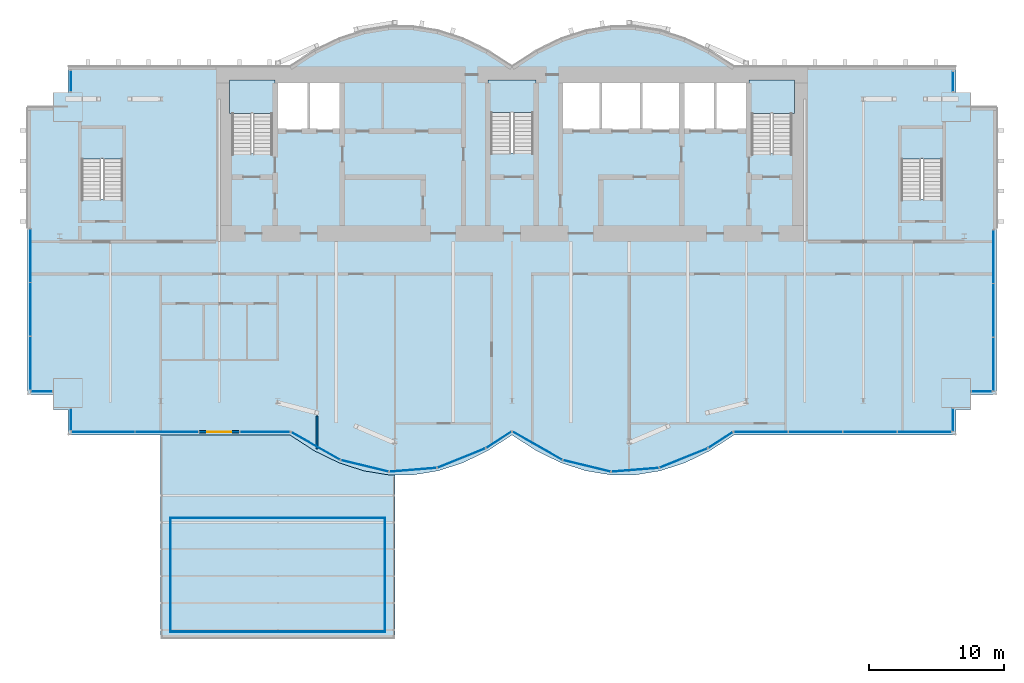
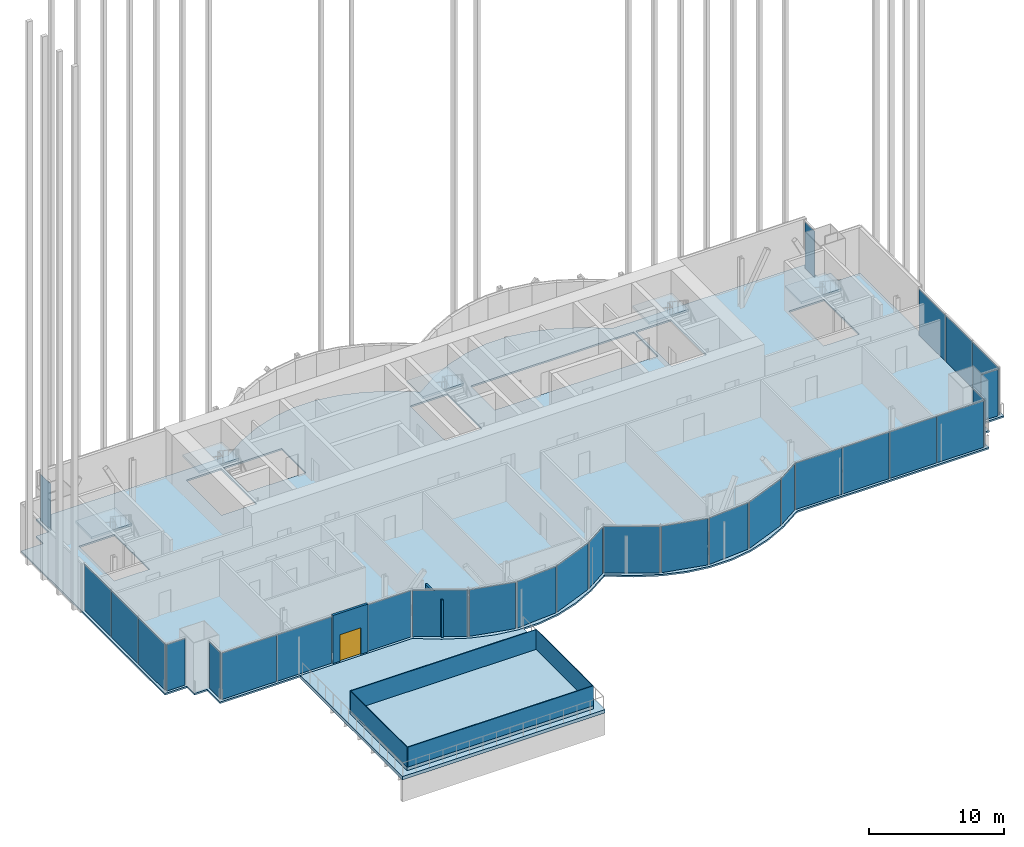
# One storey, part 15 of 22: 29 plates, 8 slabs, 6 walls, 1 door, 1 opening, 18 elements without a shape of their own.
"""IFC4 building model written with IfcOpenShell, lengths in metres."""

from ifc_helpers import new_model, si_unit, direction, frame, frame_2d, origin, origin_2d, place, context, subcontext, project, spatial, polyline, rectangle, outline, extrude, material, layer, layer_set, layer_usage, type_object, element, fill, aggregate, save


model = new_model("IFC4")

# Units and contexts
model_context = context("Model", 3, precision=1e-05, world=origin(), true_north=direction((0.0, 1.0)))
body_context = subcontext(model_context, "Body", "Model", "MODEL_VIEW")
ifc_project = project(units=[si_unit("LENGTHUNIT", "METRE"), si_unit("AREAUNIT", "SQUARE_METRE"), si_unit("VOLUMEUNIT", "CUBIC_METRE"), si_unit("PLANEANGLEUNIT", "RADIAN"), si_unit("MASSUNIT", "GRAM", prefix="KILO")], contexts=[model_context])

# Site, building, storey
site_placement = place(None, origin())
site = spatial("IfcSite", under=ifc_project, at=site_placement, CompositionType="ELEMENT")
building_placement = place(site_placement, origin())
building = spatial("IfcBuilding", under=site, at=building_placement, Name="Bicima Exchange Tower", CompositionType="ELEMENT")
storey_placement = place(building_placement, frame((0.0, 0.0, 293.0)))
storey = spatial("IfcBuildingStorey", under=building, at=storey_placement, Name="L66", CompositionType="ELEMENT", Elevation=293.0)

# Slab
ifc_material_1 = material(Name="Concrete C40/50", Category="concrete")
ifc_layer_1 = layer(ifc_material_1, 0.14990234375)
ifc_layer_set_1 = layer_set([ifc_layer_1], Name="Concrete C40/50")
slab_type_1 = type_object("IfcSlabType", Name="Composite floor slab 150", PredefinedType="FLOOR", material=ifc_layer_set_1)
slab_1_placement = place(storey_placement, frame((0.0, 0.0, -0.14990234375)))
element("IfcSlab", 1, at=slab_1_placement, inside=storey, type_object=slab_type_1, Name="Floor slab", PredefinedType="FLOOR", context=body_context, shape_type="SweptSolid", body=[
    extrude(outline(polyline([(-36.0, -24.360107421875), (-36.0, -3.0), (-34.10009765625, -3.0), (-34.10009765625, -1.89990234375), (-33.0, -1.89990234375), (-33.0, 0.0), (-16.5, 0.0), (-14.666748046875, 1.185302734375), (-12.833251953125, 2.07421875), (-11.0, 2.666748046875), (-9.166748046875, 2.962890625), (-7.333251953125, 2.962890625), (-5.5, 2.666748046875), (-3.666748046875, 2.07421875), (-1.833251953125, 1.185302734375), (0.0, 0.0), (1.833251953125, 1.185302734375), (3.666748046875, 2.07421875), (5.5, 2.666748046875), (7.333251953125, 2.962890625), (9.166748046875, 2.962890625), (11.0, 2.666748046875), (12.833251953125, 2.07421875), (14.666748046875, 1.185302734375), (16.5, 0.0), (33.0, 0.0), (33.0, -1.89990234375), (34.10009765625, -1.89990234375), (34.10009765625, -3.0), (36.0, -3.0), (36.0, -24.360107421875), (34.10009765625, -24.360107421875), (34.10009765625, -25.4599609375), (33.0, -25.4599609375), (33.0, -27.360107421875), (16.5, -27.360107421875), (14.666748046875, -28.545166015625), (12.833251953125, -29.43408203125), (11.0, -30.026611328125), (9.166748046875, -30.322998046875), (7.333251953125, -30.322998046875), (5.5, -30.026611328125), (3.666748046875, -29.43408203125), (1.833251953125, -28.545166015625), (0.0, -27.360107421875), (-1.833251953125, -28.545166015625), (-3.666748046875, -29.43408203125), (-5.5, -30.026611328125), (-7.333251953125, -30.322998046875), (-9.166748046875, -30.322998046875), (-11.0, -30.026611328125), (-12.833251953125, -29.43408203125), (-14.666748046875, -28.545166015625), (-16.5, -27.360107421875), (-33.0, -27.360107421875), (-33.0, -25.4599609375), (-34.10009765625, -25.4599609375), (-34.10009765625, -24.360107421875), (-36.0, -24.360107421875)]), holes=[polyline([(-28.925048828125, -9.824951171875), (-28.925048828125, -4.625), (-31.97509765625, -4.625), (-31.97509765625, -9.824951171875), (-28.925048828125, -9.824951171875)]), polyline([(-20.800048828125, -6.449951171875), (-17.800048828125, -6.449951171875), (-17.800048828125, -1.199951171875), (-20.800048828125, -1.199951171875), (-20.800048828125, -6.449951171875)]), polyline([(-1.574951171875, -6.39990234375), (1.574951171875, -6.39990234375), (1.574951171875, -1.199951171875), (-1.574951171875, -1.199951171875), (-1.574951171875, -6.39990234375)]), polyline([(-12.60009765625, -1.199951171875), (-15.10009765625, -1.199951171875), (-17.60009765625, -1.199951171875), (-17.60009765625, -4.800048828125), (-15.10009765625, -4.800048828125), (-12.60009765625, -4.800048828125), (-12.60009765625, -1.199951171875)]), polyline([(3.60009765625, -4.800048828125), (6.60009765625, -4.800048828125), (9.60009765625, -4.800048828125), (12.60009765625, -4.800048828125), (15.10009765625, -4.800048828125), (17.60009765625, -4.800048828125), (17.60009765625, -1.199951171875), (15.10009765625, -1.199951171875), (12.60009765625, -1.199951171875), (9.60009765625, -1.199951171875), (6.60009765625, -1.199951171875), (3.60009765625, -1.199951171875), (3.60009765625, -4.800048828125)]), polyline([(31.97509765625, -9.824951171875), (31.97509765625, -4.625), (28.925048828125, -4.625), (28.925048828125, -9.824951171875), (31.97509765625, -9.824951171875)]), polyline([(17.800048828125, -6.449951171875), (20.800048828125, -6.449951171875), (20.800048828125, -1.199951171875), (17.800048828125, -1.199951171875), (17.800048828125, -6.449951171875)])]), origin(), (0.0, 0.0, 1.0), 0.14990234375),
])

# Curtain wall, plates
ifc_material_2 = material(Name="Anodised bronze aluminium", Category="aluminium")
curtain_wall_type_1 = type_object("IfcCurtainWallType", Name="End face glass wall", PredefinedType="NOTDEFINED", material=ifc_material_2)
curtain_wall_1_placement = place(storey_placement, origin())
curtain_wall_1 = element("IfcCurtainWall", 2, at=curtain_wall_1_placement, inside=storey, type_object=curtain_wall_type_1, Name="End face glass wall L66 run 2", PredefinedType="NOTDEFINED")
ifc_material_3 = material(Name="Bronze tinted glass", Category="glass")
ifc_layer_2 = layer(ifc_material_3, 0.031982421875)
ifc_layer_set_2 = layer_set([ifc_layer_2], Name="Bronze tinted glass")
plate_type_1 = type_object("IfcPlateType", Name="End face glass wall glass panel 32", PredefinedType="CURTAIN_PANEL", material=ifc_layer_set_2)
plate_1_placement = place(storey_placement, frame((-35.77001953125, -14.0283203125, 0.0), z_axis=(0.0, 0.0, 1.0), x_axis=(0.0, -1.0, 0.0)))
plate_1 = element("IfcPlate", 3, at=plate_1_placement, type_object=plate_type_1, Name="End face glass wall panel 1.1", PredefinedType="CURTAIN_PANEL", context=body_context, shape_type="SweptSolid", body=[
    extrude(rectangle(XDim=3.936767578125, YDim=0.031982421875, at=origin_2d()), origin(), (0.0, 0.0, 1.0), 4.2099609375),
])
plate_2_placement = place(storey_placement, frame((-35.77001953125, -18.02490234375, 0.0), z_axis=(0.0, 0.0, 1.0), x_axis=(0.0, -1.0, 0.0)))
plate_2 = element("IfcPlate", 4, at=plate_2_placement, type_object=plate_type_1, Name="End face glass wall panel 2.1", PredefinedType="CURTAIN_PANEL", context=body_context, shape_type="SweptSolid", body=[
    extrude(rectangle(XDim=3.936767578125, YDim=0.031982421875, at=origin_2d()), origin(), (0.0, 0.0, 1.0), 4.2099609375),
])

curtain_wall_2_placement = place(storey_placement, origin())
curtain_wall_2 = element("IfcCurtainWall", 5, at=curtain_wall_2_placement, inside=storey, type_object=curtain_wall_type_1, Name="End face glass wall L66 run 19", PredefinedType="NOTDEFINED")
plate_3_placement = place(storey_placement, frame((35.77001953125, -18.10498046875, 0.0), z_axis=(0.0, 0.0, 1.0), x_axis=(0.0, 1.0, 0.0)))
plate_3 = element("IfcPlate", 6, at=plate_3_placement, type_object=plate_type_1, Name="End face glass wall panel 2.1", PredefinedType="CURTAIN_PANEL", context=body_context, shape_type="SweptSolid", body=[
    extrude(rectangle(XDim=3.936767578125, YDim=0.031982421875, at=origin_2d()), origin(), (0.0, 0.0, 1.0), 4.2099609375),
])
plate_4_placement = place(storey_placement, frame((35.77001953125, -14.1083984375, 0.0), z_axis=(0.0, 0.0, 1.0), x_axis=(0.0, 1.0, 0.0)))
plate_4 = element("IfcPlate", 7, at=plate_4_placement, type_object=plate_type_1, Name="End face glass wall panel 3.1", PredefinedType="CURTAIN_PANEL", context=body_context, shape_type="SweptSolid", body=[
    extrude(rectangle(XDim=3.936767578125, YDim=0.031982421875, at=origin_2d()), origin(), (0.0, 0.0, 1.0), 4.2099609375),
])

# Plate
ifc_material_4 = material(Name="Bronze anodised aluminium", Category="aluminium")
ifc_layer_3 = layer(ifc_material_4, 0.031982421875)
ifc_layer_set_3 = layer_set([ifc_layer_3], Name="Bronze anodised aluminium")
plate_type_2 = type_object("IfcPlateType", Name="End face glass wall spandrel panel 32", PredefinedType="CURTAIN_PANEL", material=ifc_layer_set_3)
plate_5_placement = place(storey_placement, frame((-35.77001953125, -22.021728515625, 0.0), z_axis=(0.0, 0.0, 1.0), x_axis=(0.0, -1.0, 0.0)))
plate_5 = element("IfcPlate", 8, at=plate_5_placement, type_object=plate_type_2, Name="End face spandrel wall panel 3.1", PredefinedType="CURTAIN_PANEL", context=body_context, shape_type="SweptSolid", body=[
    extrude(rectangle(XDim=3.936767578125, YDim=0.031982421875, at=origin_2d()), origin(), (0.0, 0.0, 1.0), 4.2099609375),
])

aggregate(curtain_wall_1, [plate_1, plate_2, plate_5])

plate_6_placement = place(storey_placement, frame((35.77001953125, -22.101806640625, 0.0), z_axis=(0.0, 0.0, 1.0), x_axis=(0.0, 1.0, 0.0)))
plate_6 = element("IfcPlate", 9, at=plate_6_placement, type_object=plate_type_2, Name="End face spandrel wall panel 1.1", PredefinedType="CURTAIN_PANEL", context=body_context, shape_type="SweptSolid", body=[
    extrude(rectangle(XDim=3.936767578125, YDim=0.031982421875, at=origin_2d()), origin(), (0.0, 0.0, 1.0), 4.2099609375),
])

aggregate(curtain_wall_2, [plate_6, plate_3, plate_4])

# Curtain wall, plate
curtain_wall_type_2 = type_object("IfcCurtainWallType", Name="Front glass wall", PredefinedType="NOTDEFINED", material=ifc_material_2)
curtain_wall_3_placement = place(storey_placement, origin())
curtain_wall_3 = element("IfcCurtainWall", 10, at=curtain_wall_3_placement, inside=storey, type_object=curtain_wall_type_2, Name="Front glass wall L66 run 1", PredefinedType="NOTDEFINED")
ifc_layer_4 = layer(ifc_material_3, 0.031982421875)
ifc_layer_set_4 = layer_set([ifc_layer_4], Name="Bronze tinted glass")
plate_type_3 = type_object("IfcPlateType", Name="Front glass wall glass panel 32", PredefinedType="CURTAIN_PANEL", material=ifc_layer_set_4)
plate_7_placement = place(storey_placement, frame((-32.77001953125, -1.06494140625, 0.0), z_axis=(0.0, 0.0, 1.0), x_axis=(0.0, -1.0, 0.0)))
plate_7 = element("IfcPlate", 11, at=plate_7_placement, type_object=plate_type_3, Name="Front glass wall panel 1.1", PredefinedType="CURTAIN_PANEL", context=body_context, shape_type="SweptSolid", body=[
    extrude(rectangle(XDim=1.550048828125, YDim=0.031982421875, at=origin_2d()), origin(), (0.0, 0.0, 1.0), 4.2099609375),
])
aggregate(curtain_wall_3, [plate_7])

curtain_wall_4_placement = place(storey_placement, origin())
curtain_wall_4 = element("IfcCurtainWall", 12, at=curtain_wall_4_placement, inside=storey, type_object=curtain_wall_type_2, Name="Front glass wall L66 run 3", PredefinedType="NOTDEFINED")
plate_8_placement = place(storey_placement, frame((-34.93505859375, -24.1298828125, 0.0), z_axis=(0.0, 0.0, 1.0), x_axis=(1.0, 0.0, 0.0)))
plate_8 = element("IfcPlate", 13, at=plate_8_placement, type_object=plate_type_3, Name="Front glass wall panel 1.1", PredefinedType="CURTAIN_PANEL", context=body_context, shape_type="SweptSolid", body=[
    extrude(rectangle(XDim=1.550048828125, YDim=0.031982421875, at=origin_2d()), origin(), (0.0, 0.0, 1.0), 4.2099609375),
])
aggregate(curtain_wall_4, [plate_8])

curtain_wall_5_placement = place(storey_placement, origin())
curtain_wall_5 = element("IfcCurtainWall", 14, at=curtain_wall_5_placement, inside=storey, type_object=curtain_wall_type_2, Name="Front glass wall L66 run 4", PredefinedType="NOTDEFINED")
plate_9_placement = place(storey_placement, frame((-32.77001953125, -26.194091796875, 0.0), z_axis=(0.0, 0.0, 1.0), x_axis=(0.0, -1.0, 0.0)))
plate_9 = element("IfcPlate", 15, at=plate_9_placement, type_object=plate_type_3, Name="Front glass wall panel 1.1", PredefinedType="CURTAIN_PANEL", context=body_context, shape_type="SweptSolid", body=[
    extrude(rectangle(XDim=1.592041015625, YDim=0.031982421875, at=origin_2d()), origin(), (0.0, 0.0, 1.0), 4.2099609375),
])
aggregate(curtain_wall_5, [plate_9])

# Curtain wall, plates
curtain_wall_6_placement = place(storey_placement, origin())
curtain_wall_6 = element("IfcCurtainWall", 16, at=curtain_wall_6_placement, inside=storey, type_object=curtain_wall_type_2, Name="Front glass wall L66 run 6", PredefinedType="NOTDEFINED")
plate_10_placement = place(storey_placement, frame((-14.589599609375, -28.175048828125, 0.0), z_axis=(0.0, 0.0, 1.0), x_axis=(0.869805110681, -0.493395449343, 0.0)))
plate_10 = element("IfcPlate", 17, at=plate_10_placement, type_object=plate_type_3, Name="Front glass wall panel 1.1", PredefinedType="CURTAIN_PANEL", context=body_context, shape_type="SweptSolid", body=[
    extrude(rectangle(XDim=4.1162109375, YDim=0.031982421875, at=origin_2d()), origin(), (0.0, 0.0, 1.0), 4.2099609375),
])
plate_11_placement = place(storey_placement, frame((-10.94775390625, -29.656494140625, 0.0), z_axis=(0.0, 0.0, 1.0), x_axis=(0.971830343553, -0.235681529503, 0.0)))
plate_11 = element("IfcPlate", 18, at=plate_11_placement, type_object=plate_type_3, Name="Front glass wall panel 1.1", PredefinedType="CURTAIN_PANEL", context=body_context, shape_type="SweptSolid", body=[
    extrude(rectangle(XDim=3.583251953125, YDim=0.031982421875, at=origin_2d()), origin(), (0.0, 0.0, 1.0), 4.2099609375),
])
plate_12_placement = place(storey_placement, frame((-7.35107421875, -29.94775390625, 0.0), z_axis=(0.0, 0.0, 1.0), x_axis=(0.99674744821, 0.080588612633, 0.0)))
plate_12 = element("IfcPlate", 19, at=plate_12_placement, type_object=plate_type_3, Name="Front glass wall panel 1.1", PredefinedType="CURTAIN_PANEL", context=body_context, shape_type="SweptSolid", body=[
    extrude(rectangle(XDim=3.486083984375, YDim=0.031982421875, at=origin_2d()), origin(), (0.0, 0.0, 1.0), 4.2099609375),
])

curtain_wall_7_placement = place(storey_placement, origin())
curtain_wall_7 = element("IfcCurtainWall", 20, at=curtain_wall_7_placement, inside=storey, type_object=curtain_wall_type_2, Name="Front glass wall L66 run 11", PredefinedType="NOTDEFINED")
plate_13_placement = place(storey_placement, frame((5.55224609375, -29.656494140625, 0.0), z_axis=(0.0, 0.0, 1.0), x_axis=(0.971830343553, -0.235681529503, 0.0)))
plate_13 = element("IfcPlate", 21, at=plate_13_placement, type_object=plate_type_3, Name="Front glass wall panel 1.1", PredefinedType="CURTAIN_PANEL", context=body_context, shape_type="SweptSolid", body=[
    extrude(rectangle(XDim=3.583251953125, YDim=0.031982421875, at=origin_2d()), origin(), (0.0, 0.0, 1.0), 4.2099609375),
])
plate_14_placement = place(storey_placement, frame((9.14892578125, -29.94775390625, 0.0), z_axis=(0.0, 0.0, 1.0), x_axis=(0.99674744821, 0.080588612633, 0.0)))
plate_14 = element("IfcPlate", 22, at=plate_14_placement, type_object=plate_type_3, Name="Front glass wall panel 1.1", PredefinedType="CURTAIN_PANEL", context=body_context, shape_type="SweptSolid", body=[
    extrude(rectangle(XDim=3.486083984375, YDim=0.031982421875, at=origin_2d()), origin(), (0.0, 0.0, 1.0), 4.2099609375),
])
plate_15_placement = place(storey_placement, frame((12.749755859375, -29.073486328125, 0.0), z_axis=(0.0, 0.0, 1.0), x_axis=(0.92714396679, 0.374705304, 0.0)))
plate_15 = element("IfcPlate", 23, at=plate_15_placement, type_object=plate_type_3, Name="Front glass wall panel 1.1", PredefinedType="CURTAIN_PANEL", context=body_context, shape_type="SweptSolid", body=[
    extrude(rectangle(XDim=3.771240234375, YDim=0.031982421875, at=origin_2d()), origin(), (0.0, 0.0, 1.0), 4.2099609375),
])
plate_16_placement = place(storey_placement, frame((15.492919921875, -27.7373046875, 0.0), z_axis=(0.0, 0.0, 1.0), x_axis=(0.839791413941, 0.542909183079, 0.0)))
plate_16 = element("IfcPlate", 24, at=plate_16_placement, type_object=plate_type_3, Name="Front glass wall panel 1.1", PredefinedType="CURTAIN_PANEL", context=body_context, shape_type="SweptSolid", body=[
    extrude(rectangle(XDim=2.11669921875, YDim=0.031982421875, at=origin_2d()), origin(), (0.0, 0.0, 1.0), 4.2099609375),
])

curtain_wall_8_placement = place(storey_placement, origin())
curtain_wall_8 = element("IfcCurtainWall", 25, at=curtain_wall_8_placement, inside=storey, type_object=curtain_wall_type_2, Name="Front glass wall L66 run 16", PredefinedType="NOTDEFINED")
plate_17_placement = place(storey_placement, frame((18.48681640625, -27.1298828125, 0.0), z_axis=(0.0, 0.0, 1.0), x_axis=(1.0, 0.0, 0.0)))
plate_17 = element("IfcPlate", 26, at=plate_17_placement, type_object=plate_type_3, Name="Front glass wall panel 1.1", PredefinedType="CURTAIN_PANEL", context=body_context, shape_type="SweptSolid", body=[
    extrude(rectangle(XDim=3.989501953125, YDim=0.031982421875, at=origin_2d()), origin(), (0.0, 0.0, 1.0), 4.2099609375),
])
plate_18_placement = place(storey_placement, frame((22.536376953125, -27.1298828125, 0.0), z_axis=(0.0, 0.0, 1.0), x_axis=(1.0, 0.0, 0.0)))
plate_18 = element("IfcPlate", 27, at=plate_18_placement, type_object=plate_type_3, Name="Front glass wall panel 2.1", PredefinedType="CURTAIN_PANEL", context=body_context, shape_type="SweptSolid", body=[
    extrude(rectangle(XDim=3.989501953125, YDim=0.031982421875, at=origin_2d()), origin(), (0.0, 0.0, 1.0), 4.2099609375),
])
plate_19_placement = place(storey_placement, frame((26.585693359375, -27.1298828125, 0.0), z_axis=(0.0, 0.0, 1.0), x_axis=(1.0, 0.0, 0.0)))
plate_19 = element("IfcPlate", 28, at=plate_19_placement, type_object=plate_type_3, Name="Front glass wall panel 3.1", PredefinedType="CURTAIN_PANEL", context=body_context, shape_type="SweptSolid", body=[
    extrude(rectangle(XDim=3.989501953125, YDim=0.031982421875, at=origin_2d()), origin(), (0.0, 0.0, 1.0), 4.2099609375),
])

# Curtain wall, plate
curtain_wall_9_placement = place(storey_placement, origin())
curtain_wall_9 = element("IfcCurtainWall", 29, at=curtain_wall_9_placement, inside=storey, type_object=curtain_wall_type_2, Name="Front glass wall L66 run 17", PredefinedType="NOTDEFINED")
plate_20_placement = place(storey_placement, frame((32.77001953125, -26.23388671875, 0.0), z_axis=(0.0, 0.0, 1.0), x_axis=(0.0, 1.0, 0.0)))
plate_20 = element("IfcPlate", 30, at=plate_20_placement, type_object=plate_type_3, Name="Front glass wall panel 1.1", PredefinedType="CURTAIN_PANEL", context=body_context, shape_type="SweptSolid", body=[
    extrude(rectangle(XDim=1.672119140625, YDim=0.031982421875, at=origin_2d()), origin(), (0.0, 0.0, 1.0), 4.2099609375),
])
aggregate(curtain_wall_9, [plate_20])

curtain_wall_10_placement = place(storey_placement, origin())
curtain_wall_10 = element("IfcCurtainWall", 31, at=curtain_wall_10_placement, inside=storey, type_object=curtain_wall_type_2, Name="Front glass wall L66 run 18", PredefinedType="NOTDEFINED")
plate_21_placement = place(storey_placement, frame((34.89501953125, -24.1298828125, 0.0), z_axis=(0.0, 0.0, 1.0), x_axis=(1.0, 0.0, 0.0)))
plate_21 = element("IfcPlate", 32, at=plate_21_placement, type_object=plate_type_3, Name="Front glass wall panel 1.1", PredefinedType="CURTAIN_PANEL", context=body_context, shape_type="SweptSolid", body=[
    extrude(rectangle(XDim=1.469970703125, YDim=0.031982421875, at=origin_2d()), origin(), (0.0, 0.0, 1.0), 4.2099609375),
])
aggregate(curtain_wall_10, [plate_21])

curtain_wall_11_placement = place(storey_placement, origin())
curtain_wall_11 = element("IfcCurtainWall", 33, at=curtain_wall_11_placement, inside=storey, type_object=curtain_wall_type_2, Name="Front glass wall L66 run 20", PredefinedType="NOTDEFINED")
plate_22_placement = place(storey_placement, frame((32.77001953125, -1.10498046875, 0.0), z_axis=(0.0, 0.0, 1.0), x_axis=(0.0, 1.0, 0.0)))
plate_22 = element("IfcPlate", 34, at=plate_22_placement, type_object=plate_type_3, Name="Front glass wall panel 1.1", PredefinedType="CURTAIN_PANEL", context=body_context, shape_type="SweptSolid", body=[
    extrude(rectangle(XDim=1.469970703125, YDim=0.031982421875, at=origin_2d()), origin(), (0.0, 0.0, 1.0), 4.2099609375),
])
aggregate(curtain_wall_11, [plate_22])

curtain_wall_12_placement = place(storey_placement, origin())
curtain_wall_12 = element("IfcCurtainWall", 35, at=curtain_wall_12_placement, inside=storey, type_object=curtain_wall_type_2, Name="Front glass wall L66 run 1.1", PredefinedType="NOTDEFINED")
plate_23_placement = place(storey_placement, frame((-25.64501953125, -27.1298828125, 0.0), z_axis=(0.0, 0.0, 1.0), x_axis=(1.0, 0.0, 0.0)))
plate_23 = element("IfcPlate", 36, at=plate_23_placement, type_object=plate_type_3, Name="Front glass wall panel 2.1", PredefinedType="CURTAIN_PANEL", context=body_context, shape_type="SweptSolid", body=[
    extrude(rectangle(XDim=4.669921875, YDim=0.031982421875, at=origin_2d()), origin(), (0.0, 0.0, 1.0), 4.2099609375),
])

curtain_wall_13_placement = place(storey_placement, origin())
curtain_wall_13 = element("IfcCurtainWall", 37, at=curtain_wall_13_placement, inside=storey, type_object=curtain_wall_type_2, Name="Front glass wall L66 run 1.2", PredefinedType="NOTDEFINED")
plate_24_placement = place(storey_placement, frame((-18.341064453125, -27.1298828125, 0.0), z_axis=(0.0, 0.0, 1.0), x_axis=(1.0, 0.0, 0.0)))
plate_24 = element("IfcPlate", 38, at=plate_24_placement, type_object=plate_type_3, Name="Front glass wall panel 1.1", PredefinedType="CURTAIN_PANEL", context=body_context, shape_type="SweptSolid", body=[
    extrude(rectangle(XDim=3.697998046875, YDim=0.031982421875, at=origin_2d()), origin(), (0.0, 0.0, 1.0), 4.2099609375),
])
aggregate(curtain_wall_13, [plate_24])

# Plate
ifc_layer_5 = layer(ifc_material_4, 0.031982421875)
ifc_layer_set_5 = layer_set([ifc_layer_5], Name="Bronze anodised aluminium")
plate_type_4 = type_object("IfcPlateType", Name="Front glass wall spandrel panel 32", PredefinedType="CURTAIN_PANEL", material=ifc_layer_set_5)
plate_25_placement = place(storey_placement, frame((-3.750244140625, -29.073486328125, 0.0), z_axis=(0.0, 0.0, 1.0), x_axis=(0.92714396679, 0.374705304, 0.0)))
plate_25 = element("IfcPlate", 39, at=plate_25_placement, type_object=plate_type_4, Name="Front spandrel wall panel 1.1", PredefinedType="CURTAIN_PANEL", context=body_context, shape_type="SweptSolid", body=[
    extrude(rectangle(XDim=3.771240234375, YDim=0.031982421875, at=origin_2d()), origin(), (0.0, 0.0, 1.0), 4.2099609375),
])

plate_26_placement = place(storey_placement, frame((-0.97314453125, -27.715087890625, 0.0), z_axis=(0.0, 0.0, 1.0), x_axis=(0.839798994301, 0.542897457326, 0.0)))
plate_26 = element("IfcPlate", 40, at=plate_26_placement, type_object=plate_type_4, Name="Front spandrel wall panel 1.1", PredefinedType="CURTAIN_PANEL", context=body_context, shape_type="SweptSolid", body=[
    extrude(rectangle(XDim=2.197509765625, YDim=0.031982421875, at=origin_2d()), origin(), (0.0, 0.0, 1.0), 4.2099609375),
])

aggregate(curtain_wall_6, [plate_10, plate_11, plate_12, plate_25, plate_26])

plate_27_placement = place(storey_placement, frame((1.876220703125, -28.1533203125, 0.0), z_axis=(0.0, 0.0, 1.0), x_axis=(0.869274147378, -0.494330311331, 0.0)))
plate_27 = element("IfcPlate", 41, at=plate_27_placement, type_object=plate_type_4, Name="Front spandrel wall panel 1.1", PredefinedType="CURTAIN_PANEL", context=body_context, shape_type="SweptSolid", body=[
    extrude(rectangle(XDim=4.197021484375, YDim=0.031982421875, at=origin_2d()), origin(), (0.0, 0.0, 1.0), 4.2099609375),
])

aggregate(curtain_wall_7, [plate_27, plate_13, plate_14, plate_15, plate_16])

plate_28_placement = place(storey_placement, frame((30.63525390625, -27.1298828125, 0.0), z_axis=(0.0, 0.0, 1.0), x_axis=(1.0, 0.0, 0.0)))
plate_28 = element("IfcPlate", 42, at=plate_28_placement, type_object=plate_type_4, Name="Front spandrel wall panel 4.1", PredefinedType="CURTAIN_PANEL", context=body_context, shape_type="SweptSolid", body=[
    extrude(rectangle(XDim=3.989501953125, YDim=0.031982421875, at=origin_2d()), origin(), (0.0, 0.0, 1.0), 4.2099609375),
])

aggregate(curtain_wall_8, [plate_17, plate_18, plate_19, plate_28])

plate_29_placement = place(storey_placement, frame((-30.375, -27.1298828125, 0.0), z_axis=(0.0, 0.0, 1.0), x_axis=(1.0, 0.0, 0.0)))
plate_29 = element("IfcPlate", 43, at=plate_29_placement, type_object=plate_type_4, Name="Front spandrel wall panel 1.1", PredefinedType="CURTAIN_PANEL", context=body_context, shape_type="SweptSolid", body=[
    extrude(rectangle(XDim=4.669921875, YDim=0.031982421875, at=origin_2d()), origin(), (0.0, 0.0, 1.0), 4.2099609375),
])

aggregate(curtain_wall_12, [plate_29, plate_23])

# Slabs
ifc_layer_6 = layer(ifc_material_1, 0.300048828125)
ifc_layer_set_6 = layer_set([ifc_layer_6], Name="Concrete C40/50")
slab_type_2 = type_object("IfcSlabType", Name="Pool deck slab 300", PredefinedType="FLOOR", material=ifc_layer_set_6)
slab_2_placement = place(storey_placement, frame((0.0, 0.0, -0.300048828125)))
element("IfcSlab", 44, at=slab_2_placement, inside=storey, type_object=slab_type_2, Name="Sky pool deck", PredefinedType="FLOOR", context=body_context, shape_type="SweptSolid", body=[
    extrude(outline(polyline([(-8.699951171875, -42.501220703125), (-26.10009765625, -42.501220703125), (-26.10009765625, -27.360107421875), (-16.5, -27.360107421875), (-14.666748046875, -28.545166015625), (-12.833251953125, -29.43408203125), (-11.0, -30.026611328125), (-9.166748046875, -30.322998046875), (-8.699951171875, -30.322998046875), (-8.699951171875, -42.501220703125)])), origin(), (0.0, 0.0, 1.0), 0.300048828125),
])
ifc_layer_7 = layer(ifc_material_1, 0.300048828125)
ifc_layer_set_7 = layer_set([ifc_layer_7], Name="Concrete C40/50")
slab_type_3 = type_object("IfcSlabType", Name="Pool tank slab 300", PredefinedType="FLOOR", material=ifc_layer_set_7)
slab_3_placement = place(storey_placement, origin())
element("IfcSlab", 45, at=slab_3_placement, inside=storey, type_object=slab_type_3, Name="Sky pool tank slab", PredefinedType="FLOOR", context=body_context, shape_type="SweptSolid", body=[
    extrude(outline(polyline([(-25.39990234375, -42.0009765625), (-9.39990234375, -42.0009765625), (-9.39990234375, -33.5009765625), (-25.39990234375, -33.5009765625), (-25.39990234375, -42.0009765625)])), origin(), (0.0, 0.0, 1.0), 0.300048828125),
])

# Stair, slab
ifc_material_5 = material(Name="Concrete C50/60", Category="concrete")
stair_type_1 = type_object("IfcStairType", Name="Exit stair", PredefinedType="HALF_TURN_STAIR", material=ifc_material_5)
stair_1_placement = place(storey_placement, origin())
stair_1 = element("IfcStair", 46, at=stair_1_placement, inside=storey, type_object=stair_type_1, Name="L66 West exit stair", PredefinedType="HALF_TURN_STAIR")
ifc_layer_8 = layer(ifc_material_5, 0.199951171875)
ifc_layer_set_8 = layer_set([ifc_layer_8], Name="Concrete C50/60")
slab_type_4 = type_object("IfcSlabType", Name="Stair landing slab", PredefinedType="LANDING", material=ifc_layer_set_8)
slab_4_placement = place(storey_placement, frame((0.0, 0.0, 2.050048828125)))
slab_4 = element("IfcSlab", 47, at=slab_4_placement, type_object=slab_type_4, Name="ST-W landing 1", PredefinedType="LANDING", context=body_context, shape_type="SweptSolid", body=[
    extrude(outline(polyline([(-17.60009765625, -3.469970703125), (-17.60009765625, -1.0), (-21.0, -1.0), (-21.0, -3.469970703125), (-17.60009765625, -3.469970703125)])), origin(), (0.0, 0.0, 1.0), 0.199951171875),
])
aggregate(stair_1, [slab_4])

stair_type_2 = type_object("IfcStairType", Name="Exit stair 1500", PredefinedType="HALF_TURN_STAIR", material=ifc_material_5)
stair_2_placement = place(storey_placement, origin())
stair_2 = element("IfcStair", 48, at=stair_2_placement, inside=storey, type_object=stair_type_2, Name="L66 Central exit stair", PredefinedType="HALF_TURN_STAIR")
slab_5_placement = place(storey_placement, frame((0.0, 0.0, 2.050048828125)))
slab_5 = element("IfcSlab", 49, at=slab_5_placement, type_object=slab_type_4, Name="ST-C landing 1", PredefinedType="LANDING", context=body_context, shape_type="SweptSolid", body=[
    extrude(outline(polyline([(1.77490234375, -3.419921875), (1.77490234375, -1.0), (-1.77490234375, -1.0), (-1.77490234375, -3.419921875), (1.77490234375, -3.419921875)])), origin(), (0.0, 0.0, 1.0), 0.199951171875),
])
aggregate(stair_2, [slab_5])

stair_3_placement = place(storey_placement, origin())
stair_3 = element("IfcStair", 50, at=stair_3_placement, inside=storey, type_object=stair_type_1, Name="L66 East exit stair", PredefinedType="HALF_TURN_STAIR")
slab_6_placement = place(storey_placement, frame((0.0, 0.0, 2.050048828125)))
slab_6 = element("IfcSlab", 51, at=slab_6_placement, type_object=slab_type_4, Name="ST-E landing 1", PredefinedType="LANDING", context=body_context, shape_type="SweptSolid", body=[
    extrude(outline(polyline([(21.0, -3.469970703125), (21.0, -1.0), (17.60009765625, -1.0), (17.60009765625, -3.469970703125), (21.0, -3.469970703125)])), origin(), (0.0, 0.0, 1.0), 0.199951171875),
])
aggregate(stair_3, [slab_6])

stair_4_placement = place(storey_placement, origin())
stair_4 = element("IfcStair", 52, at=stair_4_placement, inside=storey, type_object=stair_type_1, Name="L66 West end exit stair", PredefinedType="HALF_TURN_STAIR")
slab_7_placement = place(storey_placement, frame((0.0, 0.0, 2.050048828125)))
slab_7 = element("IfcSlab", 53, at=slab_7_placement, type_object=slab_type_4, Name="ST-WW landing 1", PredefinedType="LANDING", context=body_context, shape_type="SweptSolid", body=[
    extrude(outline(polyline([(-28.72509765625, -6.844970703125), (-28.72509765625, -4.425048828125), (-32.175048828125, -4.425048828125), (-32.175048828125, -6.844970703125), (-28.72509765625, -6.844970703125)])), origin(), (0.0, 0.0, 1.0), 0.199951171875),
])
aggregate(stair_4, [slab_7])

stair_5_placement = place(storey_placement, origin())
stair_5 = element("IfcStair", 54, at=stair_5_placement, inside=storey, type_object=stair_type_1, Name="L66 East end exit stair", PredefinedType="HALF_TURN_STAIR")
slab_8_placement = place(storey_placement, frame((0.0, 0.0, 2.050048828125)))
slab_8 = element("IfcSlab", 55, at=slab_8_placement, type_object=slab_type_4, Name="ST-EE landing 1", PredefinedType="LANDING", context=body_context, shape_type="SweptSolid", body=[
    extrude(outline(polyline([(32.175048828125, -6.844970703125), (32.175048828125, -4.425048828125), (28.72509765625, -4.425048828125), (28.72509765625, -6.844970703125), (32.175048828125, -6.844970703125)])), origin(), (0.0, 0.0, 1.0), 0.199951171875),
])
aggregate(stair_5, [slab_8])

# Wall, opening, door
ifc_layer_9 = layer(ifc_material_1, 0.2)
ifc_layer_set_9 = layer_set([ifc_layer_9], Name="Concrete C40/50")
ifc_layer_usage_1 = layer_usage(ifc_layer_set_9, "AXIS2", "POSITIVE", -0.1)
wall_type_1 = type_object("IfcWallType", Name="Entrance frame wall 200", PredefinedType="STANDARD", material=ifc_layer_set_9)
wall_1_placement = place(storey_placement, frame((-20.25, -27.1298828125, 0.0), z_axis=(0.0, 0.0, 1.0), x_axis=(-1.0, 0.0, 0.0)))
wall_1 = element("IfcWall", 56, at=wall_1_placement, inside=storey, type_object=wall_type_1, material=ifc_layer_usage_1, Name="Pool door frame wall L66", PredefinedType="STANDARD", context=body_context, shape_type="SweptSolid", body=[
    extrude(rectangle(XDim=3.0, YDim=0.199951171875, at=frame_2d((1.5, 0.0))), origin(), (0.0, 0.0, 1.0), 4.35009765625),
])
opening_placement = place(wall_1_placement, frame((0.60009765625, 0.0, 0.0)))
opening = element("IfcOpeningElement", 57, at=opening_placement, cuts=wall_1, Name="Opening DX3", PredefinedType="OPENING", context=body_context, shape_type="SweptSolid", body=[
    extrude(rectangle(XDim=1.800048828125, YDim=2.39990234375, at=frame_2d((0.89990234375, 1.199951171875))), frame((0.0, 0.11181640625, 0.0), z_axis=(0.0, -1.0, 0.0), x_axis=(1.0, 0.0, 0.0)), (0.0, 0.0, 1.0), 0.223876953125),
])
ifc_material_6 = material(Name="Anodised bronze aluminium and bonded safety glass", Category="aluminium")
door_type = type_object("IfcDoorType", Name="Pool terrace door, double leaf 1800 x 2400", OperationType="DOUBLE_DOOR_DOUBLE_SWING", PredefinedType="DOOR", material=ifc_material_6)
door_placement = place(opening_placement, origin())
door = element("IfcDoor", 58, at=door_placement, inside=storey, type_object=door_type, Name="Pool door door L66", OperationType="SINGLE_SWING_LEFT", OverallHeight=2.39990234375, OverallWidth=1.800048828125, PredefinedType="DOOR", context=body_context, shape_type="SweptSolid", body=[
    extrude(rectangle(XDim=1.800048828125, YDim=2.39990234375, at=frame_2d((0.89990234375, 1.199951171875))), frame((0.0, 0.02490234375, 0.0), z_axis=(0.0, -1.0, 0.0), x_axis=(1.0, 0.0, 0.0)), (0.0, 0.0, 1.0), 0.050048828125),
])
fill(opening, door)

# Walls
ifc_material_7 = material(Name="Gypsum board partition")
ifc_layer_10 = layer(ifc_material_7, 0.14990234375)
ifc_layer_set_10 = layer_set([ifc_layer_10], Name="Gypsum board partition")
wall_type_2 = type_object("IfcWallType", Name="Gypsum partition 150", PredefinedType="PARTITIONING", material=ifc_layer_set_10)
wall_2_placement = place(storey_placement, frame((-14.5, -28.389892578125, 0.0), z_axis=(0.0, 0.0, 1.0), x_axis=(0.0, 1.0, 0.0)))
element("IfcWall", 59, at=wall_2_placement, inside=storey, type_object=wall_type_2, Name="partition wall 20", PredefinedType="PARTITIONING", context=body_context, shape_type="SweptSolid", body=[
    extrude(rectangle(XDim=2.44091796875, YDim=0.14990234375, at=frame_2d((1.220458984375, 0.0))), origin(), (0.0, 0.0, 1.0), 3.418212890625),
])
ifc_material_8 = material(Name="Clear safety glass, interlayer bonded", Category="glass")
ifc_layer_11 = layer(ifc_material_8, 0.06)
ifc_layer_set_11 = layer_set([ifc_layer_11], Name="Clear safety glass, interlayer bonded")
ifc_layer_usage_2 = layer_usage(ifc_layer_set_11, "AXIS2", "POSITIVE", -0.03)
wall_type_3 = type_object("IfcWallType", Name="Pool glass wall 60", PredefinedType="STANDARD", material=ifc_layer_set_11)
wall_3_placement = place(storey_placement, frame((-25.39990234375, -41.97119140625, 0.300048828125), z_axis=(0.0, 0.0, 1.0), x_axis=(1.0, 0.0, 0.0)))
element("IfcWall", 60, at=wall_3_placement, inside=storey, type_object=wall_type_3, material=ifc_layer_usage_2, Name="Pool glass wall 1", PredefinedType="STANDARD", context=body_context, shape_type="SweptSolid", body=[
    extrude(rectangle(XDim=16.0, YDim=0.06005859375, at=frame_2d((8.0, 0.0))), origin(), (0.0, 0.0, 1.0), 1.800048828125),
])
wall_4_placement = place(storey_placement, frame((-9.429931640625, -41.941162109375, 0.300048828125), z_axis=(0.0, 0.0, 1.0), x_axis=(0.0, 1.0, 0.0)))
element("IfcWall", 61, at=wall_4_placement, inside=storey, type_object=wall_type_3, material=ifc_layer_usage_2, Name="Pool glass wall 2", PredefinedType="STANDARD", context=body_context, shape_type="SweptSolid", body=[
    extrude(rectangle(XDim=8.43994140625, YDim=0.06005859375, at=frame_2d((4.219970703125, 0.0))), origin(), (0.0, 0.0, 1.0), 1.800048828125),
])
wall_5_placement = place(storey_placement, frame((-9.39990234375, -33.531005859375, 0.300048828125), z_axis=(0.0, 0.0, 1.0), x_axis=(-1.0, 0.0, 0.0)))
element("IfcWall", 62, at=wall_5_placement, inside=storey, type_object=wall_type_3, material=ifc_layer_usage_2, Name="Pool glass wall 3", PredefinedType="STANDARD", context=body_context, shape_type="SweptSolid", body=[
    extrude(rectangle(XDim=16.0, YDim=0.06005859375, at=frame_2d((8.0, 0.0))), origin(), (0.0, 0.0, 1.0), 1.800048828125),
])
wall_6_placement = place(storey_placement, frame((-25.3701171875, -33.56103515625, 0.300048828125), z_axis=(0.0, 0.0, 1.0), x_axis=(0.0, -1.0, 0.0)))
element("IfcWall", 63, at=wall_6_placement, inside=storey, type_object=wall_type_3, material=ifc_layer_usage_2, Name="Pool glass wall 4", PredefinedType="STANDARD", context=body_context, shape_type="SweptSolid", body=[
    extrude(rectangle(XDim=8.440185546875, YDim=0.06005859375, at=frame_2d((4.22021484375, 0.0))), origin(), (0.0, 0.0, 1.0), 1.800048828125),
])

save(model, "model.ifc")
